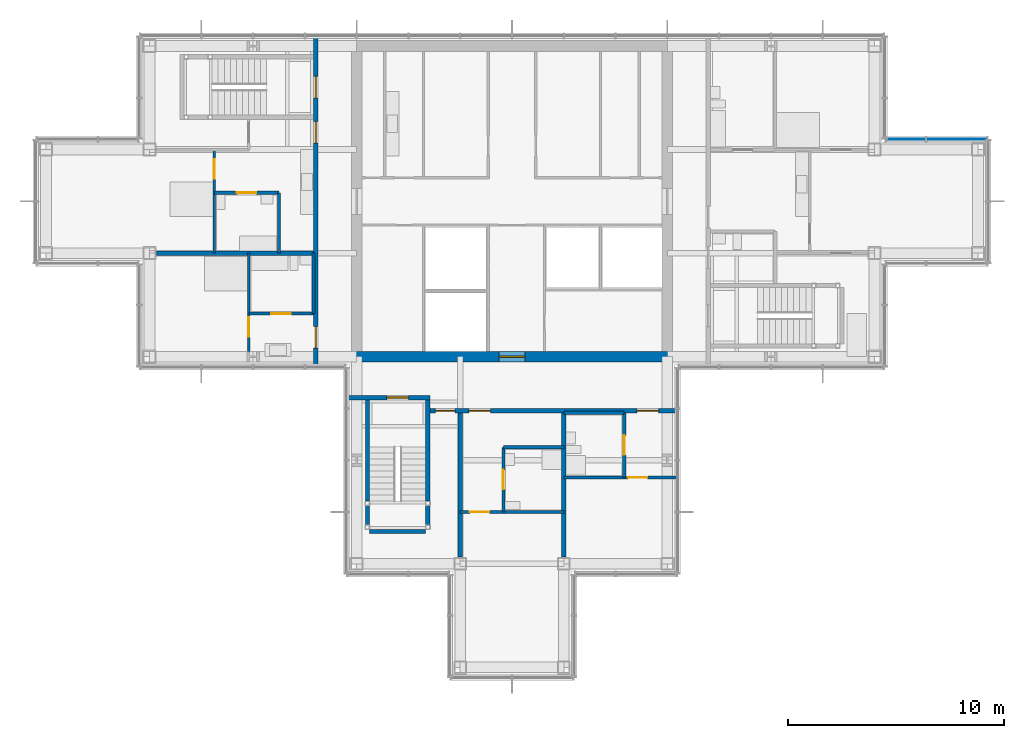
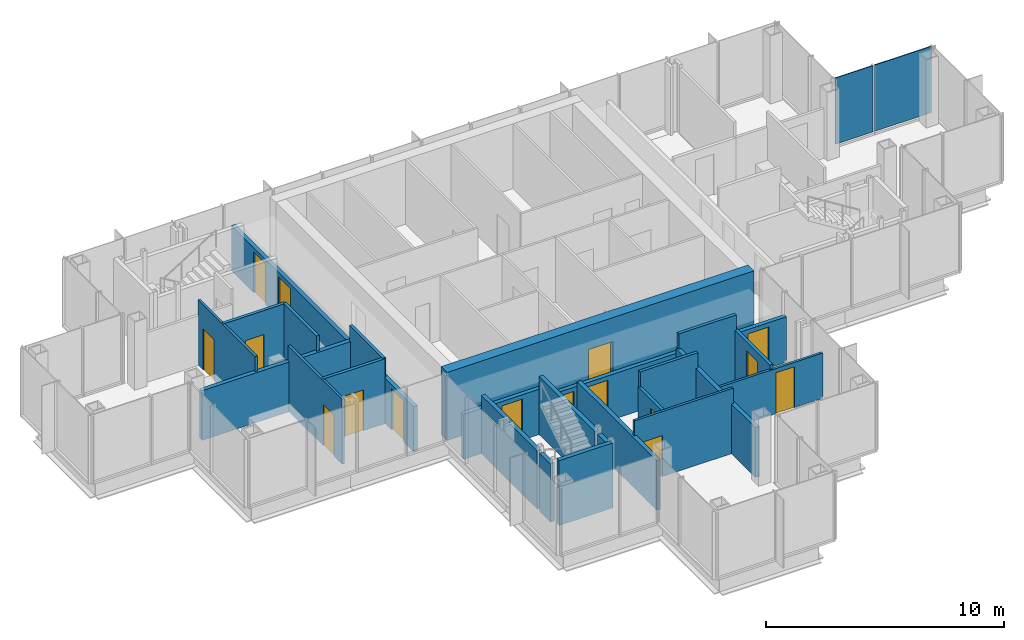
# One storey, part 10 of 15: 24 walls, 16 doors, 2 plates, 16 openings, 1 element without a shape of its own.
"""IFC4 building model written with IfcOpenShell, lengths in metres."""

from ifc_helpers import new_model, si_unit, direction, frame, frame_2d, origin, origin_2d, place, context, subcontext, project, spatial, rectangle, extrude, material, layer, layer_set, type_object, element, fill, aggregate, save


model = new_model("IFC4")

# Units and contexts
model_context = context("Model", 3, precision=1e-05, world=origin(), true_north=direction((0.0, 1.0)))
body_context = subcontext(model_context, "Body", "Model", "MODEL_VIEW")
ifc_project = project(units=[si_unit("LENGTHUNIT", "METRE"), si_unit("AREAUNIT", "SQUARE_METRE"), si_unit("VOLUMEUNIT", "CUBIC_METRE"), si_unit("PLANEANGLEUNIT", "RADIAN"), si_unit("MASSUNIT", "GRAM", prefix="KILO")], contexts=[model_context])

# Site, building, storey
site_placement = place(None, origin())
site = spatial("IfcSite", under=ifc_project, at=site_placement, CompositionType="ELEMENT")
building_placement = place(site_placement, origin())
building = spatial("IfcBuilding", under=site, at=building_placement, Name="Kvirike Care Tower", CompositionType="ELEMENT")
storey_placement = place(building_placement, frame((0.0, 0.0, 208.5)))
storey = spatial("IfcBuildingStorey", under=building, at=storey_placement, Name="L57", CompositionType="ELEMENT", Elevation=208.5)

# Curtain wall, plates
ifc_material_1 = material(Name="Anodised aluminium stick system", Category="aluminium")
curtain_wall_type = type_object("IfcCurtainWallType", Name="CW-D STICK CURTAIN WALL", PredefinedType="NOTDEFINED", material=ifc_material_1)
curtain_wall_placement = place(storey_placement, origin())
curtain_wall = element("IfcCurtainWall", 1, at=curtain_wall_placement, inside=storey, type_object=curtain_wall_type, Name="Curtain wall L57 face 5", PredefinedType="NOTDEFINED")
ifc_material_2 = material(Name="Tinted double glazed unit", Category="glass")
ifc_layer_1 = layer(ifc_material_2, 0.0439453125)
ifc_layer_set_1 = layer_set([ifc_layer_1], Name="TINTED VISION PANEL 44")
plate_type = type_object("IfcPlateType", Name="TINTED VISION PANEL 44", PredefinedType="CURTAIN_PANEL", material=ifc_layer_set_1)
plate_1_placement = place(storey_placement, frame((42.2236328125, 38.8798828125, 0.10009765625), z_axis=(0.0, 0.0, 1.0), x_axis=(-1.0, 0.0, 0.0)))
plate_1 = element("IfcPlate", 2, at=plate_1_placement, type_object=plate_type, Name="CW-D panel L57 face 5.1", PredefinedType="CURTAIN_PANEL", context=body_context, shape_type="SweptSolid", body=[
    extrude(rectangle(XDim=2.782470703125, YDim=0.0439453125, at=origin_2d()), origin(), (0.0, 0.0, 1.0), 3.39990234375),
])
plate_2_placement = place(storey_placement, frame((39.856201171875, 38.8798828125, 0.10009765625), z_axis=(0.0, 0.0, 1.0), x_axis=(-1.0, 0.0, 0.0)))
plate_2 = element("IfcPlate", 3, at=plate_2_placement, type_object=plate_type, Name="CW-D panel L57 face 5.2", PredefinedType="CURTAIN_PANEL", context=body_context, shape_type="SweptSolid", body=[
    extrude(rectangle(XDim=1.822509765625, YDim=0.0439453125, at=origin_2d()), origin(), (0.0, 0.0, 1.0), 3.39990234375),
])
aggregate(curtain_wall, [plate_1, plate_2])

# Wall, opening, door
ifc_material_3 = material(Name="Moisture-resistant board partition", Category="gypsum")
ifc_layer_2 = layer(ifc_material_3, 0.14990234375)
ifc_layer_set_2 = layer_set([ifc_layer_2], Name="BATHROOM WALL 150")
wall_type_1 = type_object("IfcWallType", Name="BATHROOM WALL 150", PredefinedType="PARTITIONING", material=ifc_layer_set_2)
wall_1_placement = place(storey_placement, frame((7.800048828125, 36.39990234375, 0.0), z_axis=(0.0, 0.0, 1.0), x_axis=(1.0, 0.0, 0.0)))
wall_1 = element("IfcWall", 4, at=wall_1_placement, inside=storey, type_object=wall_type_1, Name="Bathroom Wall 150 L57", PredefinedType="PARTITIONING", context=body_context, shape_type="SweptSolid", body=[
    extrude(rectangle(XDim=3.0, YDim=0.14990234375, at=frame_2d((1.5, 0.0))), origin(), (0.0, 0.0, 1.0), 3.330078125),
])
opening_1_placement = place(wall_1_placement, frame((1.050048828125, 0.0, 0.0)))
opening_1 = element("IfcOpeningElement", 5, at=opening_1_placement, cuts=wall_1, Name="Opening 57-001", PredefinedType="OPENING", context=body_context, shape_type="SweptSolid", body=[
    extrude(rectangle(XDim=0.89990234375, YDim=2.10009765625, at=frame_2d((0.449951171875, 1.050048828125))), frame((0.0, 0.08544921875, 0.0), z_axis=(0.0, -1.0, 0.0), x_axis=(1.0, 0.0, 0.0)), (0.0, 0.0, 1.0), 0.1708984375),
])
ifc_material_4 = material(Name="Timber door set", Category="wood")
door_type_1 = type_object("IfcDoorType", Name="BATHROOM DOOR 900", OperationType="SINGLE_SWING_RIGHT", PredefinedType="DOOR", material=ifc_material_4)
door_1_placement = place(opening_1_placement, frame((0.89990234375, 0.0, 0.0), z_axis=(0.0, 0.0, 1.0), x_axis=(-1.0, 0.0, 0.0)))
door_1 = element("IfcDoor", 6, at=door_1_placement, inside=storey, type_object=door_type_1, Name="Bathroom door", OperationType="SINGLE_SWING_LEFT", OverallHeight=2.10009765625, OverallWidth=0.89990234375, PredefinedType="DOOR", context=body_context, shape_type="SweptSolid", body=[
    extrude(rectangle(XDim=0.89990234375, YDim=2.10009765625, at=frame_2d((0.449951171875, 1.050048828125))), frame((0.0, 0.02197265625, 0.0), z_axis=(0.0, -1.0, 0.0), x_axis=(1.0, 0.0, 0.0)), (0.0, 0.0, 1.0), 0.0439453125),
])
fill(opening_1, door_1)

# Wall
wall_2_placement = place(storey_placement, frame((10.800048828125, 36.39990234375, 0.0), z_axis=(0.0, 0.0, 1.0), x_axis=(0.0, -1.0, 0.0)))
element("IfcWall", 7, at=wall_2_placement, inside=storey, type_object=wall_type_1, Name="Bathroom Wall 150 L57", PredefinedType="PARTITIONING", context=body_context, shape_type="SweptSolid", body=[
    extrude(rectangle(XDim=2.7998046875, YDim=0.14990234375, at=frame_2d((1.39990234375, 0.0))), origin(), (0.0, 0.0, 1.0), 3.330078125),
])

# Wall, opening, door
wall_3_placement = place(storey_placement, frame((9.39990234375, 30.800048828125, 0.0), z_axis=(0.0, 0.0, 1.0), x_axis=(1.0, 0.0, 0.0)))
wall_3 = element("IfcWall", 8, at=wall_3_placement, inside=storey, type_object=wall_type_1, Name="Bathroom Wall 150 L57", PredefinedType="PARTITIONING", context=body_context, shape_type="SweptSolid", body=[
    extrude(rectangle(XDim=3.0, YDim=0.14990234375, at=frame_2d((1.5, 0.0))), origin(), (0.0, 0.0, 1.0), 3.330078125),
])
opening_2_placement = place(wall_3_placement, frame((1.050048828125, 0.0, 0.0)))
opening_2 = element("IfcOpeningElement", 9, at=opening_2_placement, cuts=wall_3, Name="Opening 57-004", PredefinedType="OPENING", context=body_context, shape_type="SweptSolid", body=[
    extrude(rectangle(XDim=0.89990234375, YDim=2.10009765625, at=frame_2d((0.449951171875, 1.050048828125))), frame((0.0, 0.08544921875, 0.0), z_axis=(0.0, -1.0, 0.0), x_axis=(1.0, 0.0, 0.0)), (0.0, 0.0, 1.0), 0.1708984375),
])
door_2_placement = place(opening_2_placement, frame((0.89990234375, 0.0, 0.0), z_axis=(0.0, 0.0, 1.0), x_axis=(-1.0, 0.0, 0.0)))
door_2 = element("IfcDoor", 10, at=door_2_placement, inside=storey, type_object=door_type_1, Name="Bathroom door", OperationType="SINGLE_SWING_LEFT", OverallHeight=2.10009765625, OverallWidth=0.89990234375, PredefinedType="DOOR", context=body_context, shape_type="SweptSolid", body=[
    extrude(rectangle(XDim=0.89990234375, YDim=2.10009765625, at=frame_2d((0.449951171875, 1.050048828125))), frame((0.0, 0.02197265625, 0.0), z_axis=(0.0, -1.0, 0.0), x_axis=(1.0, 0.0, 0.0)), (0.0, 0.0, 1.0), 0.0439453125),
])
fill(opening_2, door_2)

# Wall
wall_4_placement = place(storey_placement, frame((12.39990234375, 33.60009765625, 0.0), z_axis=(0.0, 0.0, 1.0), x_axis=(0.0, -1.0, 0.0)))
element("IfcWall", 11, at=wall_4_placement, inside=storey, type_object=wall_type_1, Name="Bathroom Wall 150 L57", PredefinedType="PARTITIONING", context=body_context, shape_type="SweptSolid", body=[
    extrude(rectangle(XDim=2.800048828125, YDim=0.14990234375, at=frame_2d((1.39990234375, 0.0))), origin(), (0.0, 0.0, 1.0), 3.330078125),
])

# Wall, opening, door
wall_5_placement = place(storey_placement, frame((21.199951171875, 21.60009765625, 0.0), z_axis=(0.0, 0.0, 1.0), x_axis=(0.0, 1.0, 0.0)))
wall_5 = element("IfcWall", 12, at=wall_5_placement, inside=storey, type_object=wall_type_1, Name="Bathroom Wall 150 L57", PredefinedType="PARTITIONING", context=body_context, shape_type="SweptSolid", body=[
    extrude(rectangle(XDim=3.0, YDim=0.14990234375, at=frame_2d((1.5, 0.0))), origin(), (0.0, 0.0, 1.0), 2.550048828125),
])
opening_3_placement = place(wall_5_placement, frame((1.050048828125, 0.0, 0.0)))
opening_3 = element("IfcOpeningElement", 13, at=opening_3_placement, cuts=wall_5, Name="Opening 57-010", PredefinedType="OPENING", context=body_context, shape_type="SweptSolid", body=[
    extrude(rectangle(XDim=0.89990234375, YDim=2.10009765625, at=frame_2d((0.449951171875, 1.050048828125))), frame((0.0, 0.08544921875, 0.0), z_axis=(0.0, -1.0, 0.0), x_axis=(1.0, 0.0, 0.0)), (0.0, 0.0, 1.0), 0.1708984375),
])
door_3_placement = place(opening_3_placement, frame((0.89990234375, 0.0, 0.0), z_axis=(0.0, 0.0, 1.0), x_axis=(-1.0, 0.0, 0.0)))
door_3 = element("IfcDoor", 14, at=door_3_placement, inside=storey, type_object=door_type_1, Name="Shower room door", OperationType="SINGLE_SWING_RIGHT", OverallHeight=2.10009765625, OverallWidth=0.89990234375, PredefinedType="DOOR", context=body_context, shape_type="SweptSolid", body=[
    extrude(rectangle(XDim=0.89990234375, YDim=2.10009765625, at=frame_2d((0.449951171875, 1.050048828125))), frame((0.0, 0.02197265625, 0.0), z_axis=(0.0, -1.0, 0.0), x_axis=(1.0, 0.0, 0.0)), (0.0, 0.0, 1.0), 0.0439453125),
])
fill(opening_3, door_3)

# Wall
wall_6_placement = place(storey_placement, frame((21.199951171875, 24.60009765625, 0.0), z_axis=(0.0, 0.0, 1.0), x_axis=(1.0, 0.0, 0.0)))
element("IfcWall", 15, at=wall_6_placement, inside=storey, type_object=wall_type_1, Name="Bathroom Wall 150 L57", PredefinedType="PARTITIONING", context=body_context, shape_type="SweptSolid", body=[
    extrude(rectangle(XDim=2.800048828125, YDim=0.14990234375, at=frame_2d((1.39990234375, 0.0))), origin(), (0.0, 0.0, 1.0), 3.330078125),
])

# Wall, opening, door
wall_7_placement = place(storey_placement, frame((26.800048828125, 23.199951171875, 0.0), z_axis=(0.0, 0.0, 1.0), x_axis=(0.0, 1.0, 0.0)))
wall_7 = element("IfcWall", 16, at=wall_7_placement, inside=storey, type_object=wall_type_1, Name="Bathroom Wall 150 L57", PredefinedType="PARTITIONING", context=body_context, shape_type="SweptSolid", body=[
    extrude(rectangle(XDim=3.0, YDim=0.14990234375, at=frame_2d((1.5, 0.0))), origin(), (0.0, 0.0, 1.0), 2.550048828125),
])
opening_4_placement = place(wall_7_placement, frame((1.050048828125, 0.0, 0.0)))
opening_4 = element("IfcOpeningElement", 17, at=opening_4_placement, cuts=wall_7, Name="Opening 57-012", PredefinedType="OPENING", context=body_context, shape_type="SweptSolid", body=[
    extrude(rectangle(XDim=0.89990234375, YDim=2.10009765625, at=frame_2d((0.449951171875, 1.050048828125))), frame((0.0, 0.08544921875, 0.0), z_axis=(0.0, -1.0, 0.0), x_axis=(1.0, 0.0, 0.0)), (0.0, 0.0, 1.0), 0.1708984375),
])
door_4_placement = place(opening_4_placement, frame((0.89990234375, 0.0, 0.0), z_axis=(0.0, 0.0, 1.0), x_axis=(-1.0, 0.0, 0.0)))
door_4 = element("IfcDoor", 18, at=door_4_placement, inside=storey, type_object=door_type_1, Name="Shower room door", OperationType="SINGLE_SWING_LEFT", OverallHeight=2.10009765625, OverallWidth=0.89990234375, PredefinedType="DOOR", context=body_context, shape_type="SweptSolid", body=[
    extrude(rectangle(XDim=0.89990234375, YDim=2.10009765625, at=frame_2d((0.449951171875, 1.050048828125))), frame((0.0, 0.02197265625, 0.0), z_axis=(0.0, -1.0, 0.0), x_axis=(1.0, 0.0, 0.0)), (0.0, 0.0, 1.0), 0.0439453125),
])
fill(opening_4, door_4)

# Wall
wall_8_placement = place(storey_placement, frame((24.0, 26.199951171875, 0.0), z_axis=(0.0, 0.0, 1.0), x_axis=(1.0, 0.0, 0.0)))
element("IfcWall", 19, at=wall_8_placement, inside=storey, type_object=wall_type_1, Name="Bathroom Wall 150 L57", PredefinedType="PARTITIONING", context=body_context, shape_type="SweptSolid", body=[
    extrude(rectangle(XDim=2.800048828125, YDim=0.14990234375, at=frame_2d((1.39990234375, 0.0))), origin(), (0.0, 0.0, 1.0), 3.330078125),
])

# Wall, opening, door
ifc_material_5 = material(Name="Concrete C40/50", Category="concrete")
ifc_layer_3 = layer(ifc_material_5, 0.5)
ifc_layer_set_3 = layer_set([ifc_layer_3], Name="CORE WALL 500 C40-50")
wall_type_2 = type_object("IfcWallType", Name="CORE WALL 500 C40-50", PredefinedType="SHEAR", material=ifc_layer_set_3)
wall_9_placement = place(storey_placement, frame((14.14990234375, 28.800048828125, -0.169921875), z_axis=(0.0, 0.0, 1.0), x_axis=(1.0, 0.0, 0.0)))
wall_9 = element("IfcWall", 20, at=wall_9_placement, inside=storey, type_object=wall_type_2, Name="Core wall S L57", PredefinedType="SHEAR", context=body_context, shape_type="SweptSolid", body=[
    extrude(rectangle(XDim=14.900146484375, YDim=0.5, at=frame_2d((7.4501953125, 0.0))), origin(), (0.0, 0.0, 1.0), 3.5),
])
opening_5_placement = place(wall_9_placement, frame((6.85009765625, 0.0, 0.169921875)))
opening_5 = element("IfcOpeningElement", 21, at=opening_5_placement, cuts=wall_9, Name="Opening 57-037", PredefinedType="OPENING", context=body_context, shape_type="SweptSolid", body=[
    extrude(rectangle(XDim=1.199951171875, YDim=2.10009765625, at=frame_2d((0.60009765625, 1.050048828125))), frame((0.0, 0.260498046875, 0.0), z_axis=(0.0, -1.0, 0.0), x_axis=(1.0, 0.0, 0.0)), (0.0, 0.0, 1.0), 0.52099609375),
])
ifc_material_6 = material(Name="Timber door set", Category="wood")
door_type_2 = type_object("IfcDoorType", Name="CORE DOOR 1200", OperationType="SINGLE_SWING_LEFT", PredefinedType="DOOR", material=ifc_material_6)
door_5_placement = place(opening_5_placement, origin())
door_5 = element("IfcDoor", 22, at=door_5_placement, inside=storey, type_object=door_type_2, Name="Core door S L57", OperationType="SINGLE_SWING_LEFT", OverallHeight=2.10009765625, OverallWidth=1.199951171875, PredefinedType="DOOR", context=body_context, shape_type="SweptSolid", body=[
    extrude(rectangle(XDim=1.199951171875, YDim=2.10009765625, at=frame_2d((0.60009765625, 1.050048828125))), frame((0.0, 0.02685546875, 0.0), z_axis=(0.0, -1.0, 0.0), x_axis=(1.0, 0.0, 0.0)), (0.0, 0.0, 1.0), 0.053955078125),
])
fill(opening_5, door_5)

# Wall, openings, doors
ifc_material_7 = material(Name="Plasterboard corridor wall", Category="gypsum")
ifc_layer_4 = layer(ifc_material_7, 0.199951171875)
ifc_layer_set_4 = layer_set([ifc_layer_4], Name="CORRIDOR WALL 200")
wall_type_3 = type_object("IfcWallType", Name="CORRIDOR WALL 200", PredefinedType="PARTITIONING", material=ifc_layer_set_4)
wall_10_placement = place(storey_placement, frame((12.5, 43.655029296875, 0.0), z_axis=(0.0, 0.0, 1.0), x_axis=(0.0, -1.0, 0.0)))
wall_10 = element("IfcWall", 23, at=wall_10_placement, inside=storey, type_object=wall_type_3, Name="Corridor Wall 200 L57", PredefinedType="PARTITIONING", context=body_context, shape_type="SweptSolid", body=[
    extrude(rectangle(XDim=15.31005859375, YDim=0.199951171875, at=frame_2d((7.655029296875, 0.0))), origin(), (0.0, 0.0, 1.0), 2.320068359375),
])
opening_6_placement = place(wall_10_placement, frame((1.85498046875, 0.0, 0.0)))
opening_6 = element("IfcOpeningElement", 24, at=opening_6_placement, cuts=wall_10, Name="Opening 57-006", PredefinedType="OPENING", context=body_context, shape_type="SweptSolid", body=[
    extrude(rectangle(XDim=1.0, YDim=2.10009765625, at=frame_2d((0.5, 1.050048828125))), frame((0.0, 0.110595703125, 0.0), z_axis=(0.0, -1.0, 0.0), x_axis=(1.0, 0.0, 0.0)), (0.0, 0.0, 1.0), 0.220947265625),
])
opening_7_placement = place(wall_10_placement, frame((3.955078125, 0.0, 0.0)))
opening_7 = element("IfcOpeningElement", 25, at=opening_7_placement, cuts=wall_10, Name="Opening 57-007", PredefinedType="OPENING", context=body_context, shape_type="SweptSolid", body=[
    extrude(rectangle(XDim=1.0, YDim=2.10009765625, at=frame_2d((0.5, 1.050048828125))), frame((0.0, 0.110595703125, 0.0), z_axis=(0.0, -1.0, 0.0), x_axis=(1.0, 0.0, 0.0)), (0.0, 0.0, 1.0), 0.220947265625),
])
opening_8_placement = place(wall_10_placement, frame((13.455078125, 0.0, 0.0)))
opening_8 = element("IfcOpeningElement", 26, at=opening_8_placement, cuts=wall_10, Name="Opening 57-008", PredefinedType="OPENING", context=body_context, shape_type="SweptSolid", body=[
    extrude(rectangle(XDim=1.0, YDim=2.10009765625, at=frame_2d((0.5, 1.050048828125))), frame((0.0, 0.110595703125, 0.0), z_axis=(0.0, -1.0, 0.0), x_axis=(1.0, 0.0, 0.0)), (0.0, 0.0, 1.0), 0.220947265625),
])
ifc_material_8 = material(Name="Timber door set", Category="wood")
door_type_3 = type_object("IfcDoorType", Name="FLAT ENTRANCE DOOR 1000", OperationType="SINGLE_SWING_LEFT", PredefinedType="DOOR", material=ifc_material_8)
door_6_placement = place(opening_7_placement, frame((1.0, 0.0, 0.0), z_axis=(0.0, 0.0, 1.0), x_axis=(-1.0, 0.0, 0.0)))
door_6 = element("IfcDoor", 27, at=door_6_placement, inside=storey, type_object=door_type_3, Name="One-bedroom apartment entrance", OperationType="SINGLE_SWING_LEFT", OverallHeight=2.10009765625, OverallWidth=1.0, PredefinedType="DOOR", context=body_context, shape_type="SweptSolid", body=[
    extrude(rectangle(XDim=1.0, YDim=2.10009765625, at=frame_2d((0.5, 1.050048828125))), frame((0.0, 0.02685546875, 0.0), z_axis=(0.0, -1.0, 0.0), x_axis=(1.0, 0.0, 0.0)), (0.0, 0.0, 1.0), 0.053955078125),
])
fill(opening_7, door_6)
door_7_placement = place(opening_8_placement, frame((1.0, 0.0, 0.0), z_axis=(0.0, 0.0, 1.0), x_axis=(-1.0, 0.0, 0.0)))
door_7 = element("IfcDoor", 28, at=door_7_placement, inside=storey, type_object=door_type_3, Name="Studio apartment entrance", OperationType="SINGLE_SWING_RIGHT", OverallHeight=2.10009765625, OverallWidth=1.0, PredefinedType="DOOR", context=body_context, shape_type="SweptSolid", body=[
    extrude(rectangle(XDim=1.0, YDim=2.10009765625, at=frame_2d((0.5, 1.050048828125))), frame((0.0, 0.02685546875, 0.0), z_axis=(0.0, -1.0, 0.0), x_axis=(1.0, 0.0, 0.0)), (0.0, 0.0, 1.0), 0.053955078125),
])
fill(opening_8, door_7)
ifc_material_9 = material(Name="Timber door set", Category="wood")
door_type_4 = type_object("IfcDoorType", Name="STAIR DOOR 1000", OperationType="SINGLE_SWING_LEFT", PredefinedType="DOOR", material=ifc_material_9)
door_8_placement = place(opening_6_placement, frame((1.0, 0.0, 0.0), z_axis=(0.0, 0.0, 1.0), x_axis=(-1.0, 0.0, 0.0)))
door_8 = element("IfcDoor", 29, at=door_8_placement, inside=storey, type_object=door_type_4, Name="Stair 1 door", OperationType="SINGLE_SWING_RIGHT", OverallHeight=2.10009765625, OverallWidth=1.0, PredefinedType="DOOR", context=body_context, shape_type="SweptSolid", body=[
    extrude(rectangle(XDim=1.0, YDim=2.10009765625, at=frame_2d((0.5, 1.050048828125))), frame((0.0, 0.031982421875, 0.0), z_axis=(0.0, -1.0, 0.0), x_axis=(1.0, 0.0, 0.0)), (0.0, 0.0, 1.0), 0.06396484375),
])
fill(opening_6, door_8)

wall_11_placement = place(storey_placement, frame((17.800048828125, 26.300048828125, 0.0), z_axis=(0.0, 0.0, 1.0), x_axis=(1.0, 0.0, 0.0)))
wall_11 = element("IfcWall", 30, at=wall_11_placement, inside=storey, type_object=wall_type_3, Name="Corridor Wall 200 L57", PredefinedType="PARTITIONING", context=body_context, shape_type="SweptSolid", body=[
    extrude(rectangle(XDim=11.454833984375, YDim=0.199951171875, at=frame_2d((5.7275390625, 0.0))), origin(), (0.0, 0.0, 1.0), 2.320068359375),
])
opening_9_placement = place(wall_11_placement, frame((0.25, 0.0, 0.0)))
opening_9 = element("IfcOpeningElement", 31, at=opening_9_placement, cuts=wall_11, Name="Opening 57-014", PredefinedType="OPENING", context=body_context, shape_type="SweptSolid", body=[
    extrude(rectangle(XDim=0.89990234375, YDim=2.10009765625, at=frame_2d((0.449951171875, 1.050048828125))), frame((0.0, 0.110595703125, 0.0), z_axis=(0.0, -1.0, 0.0), x_axis=(1.0, 0.0, 0.0)), (0.0, 0.0, 1.0), 0.220947265625),
])
opening_10_placement = place(wall_11_placement, frame((1.800048828125, 0.0, 0.0)))
opening_10 = element("IfcOpeningElement", 32, at=opening_10_placement, cuts=wall_11, Name="Opening 57-015", PredefinedType="OPENING", context=body_context, shape_type="SweptSolid", body=[
    extrude(rectangle(XDim=1.0, YDim=2.10009765625, at=frame_2d((0.5, 1.050048828125))), frame((0.0, 0.110595703125, 0.0), z_axis=(0.0, -1.0, 0.0), x_axis=(1.0, 0.0, 0.0)), (0.0, 0.0, 1.0), 0.220947265625),
])
opening_11_placement = place(wall_11_placement, frame((9.60009765625, 0.0, 0.0)))
opening_11 = element("IfcOpeningElement", 33, at=opening_11_placement, cuts=wall_11, Name="Opening 57-016", PredefinedType="OPENING", context=body_context, shape_type="SweptSolid", body=[
    extrude(rectangle(XDim=1.0, YDim=2.10009765625, at=frame_2d((0.5, 1.050048828125))), frame((0.0, 0.110595703125, 0.0), z_axis=(0.0, -1.0, 0.0), x_axis=(1.0, 0.0, 0.0)), (0.0, 0.0, 1.0), 0.220947265625),
])
door_9_placement = place(opening_10_placement, frame((1.0, 0.0, 0.0), z_axis=(0.0, 0.0, 1.0), x_axis=(-1.0, 0.0, 0.0)))
door_9 = element("IfcDoor", 34, at=door_9_placement, inside=storey, type_object=door_type_3, Name="Family guest room entrance", OperationType="SINGLE_SWING_LEFT", OverallHeight=2.10009765625, OverallWidth=1.0, PredefinedType="DOOR", context=body_context, shape_type="SweptSolid", body=[
    extrude(rectangle(XDim=1.0, YDim=2.10009765625, at=frame_2d((0.5, 1.050048828125))), frame((0.0, 0.02685546875, 0.0), z_axis=(0.0, -1.0, 0.0), x_axis=(1.0, 0.0, 0.0)), (0.0, 0.0, 1.0), 0.053955078125),
])
fill(opening_10, door_9)
door_10_placement = place(opening_11_placement, frame((1.0, 0.0, 0.0), z_axis=(0.0, 0.0, 1.0), x_axis=(-1.0, 0.0, 0.0)))
door_10 = element("IfcDoor", 35, at=door_10_placement, inside=storey, type_object=door_type_3, Name="Family guest room entrance", OperationType="SINGLE_SWING_RIGHT", OverallHeight=2.10009765625, OverallWidth=1.0, PredefinedType="DOOR", context=body_context, shape_type="SweptSolid", body=[
    extrude(rectangle(XDim=1.0, YDim=2.10009765625, at=frame_2d((0.5, 1.050048828125))), frame((0.0, 0.02685546875, 0.0), z_axis=(0.0, -1.0, 0.0), x_axis=(1.0, 0.0, 0.0)), (0.0, 0.0, 1.0), 0.053955078125),
])
fill(opening_11, door_10)
ifc_material_10 = material(Name="Timber door set", Category="wood")
door_type_5 = type_object("IfcDoorType", Name="STORE DOOR 900", OperationType="SINGLE_SWING_LEFT", PredefinedType="DOOR", material=ifc_material_10)
door_11_placement = place(opening_9_placement, frame((0.89990234375, 0.0, 0.0), z_axis=(0.0, 0.0, 1.0), x_axis=(-1.0, 0.0, 0.0)))
door_11 = element("IfcDoor", 36, at=door_11_placement, inside=storey, type_object=door_type_5, Name="Housekeeping room door", OperationType="SINGLE_SWING_RIGHT", OverallHeight=2.10009765625, OverallWidth=0.89990234375, PredefinedType="DOOR", context=body_context, shape_type="SweptSolid", body=[
    extrude(rectangle(XDim=0.89990234375, YDim=2.10009765625, at=frame_2d((0.449951171875, 1.050048828125))), frame((0.0, 0.02685546875, 0.0), z_axis=(0.0, -1.0, 0.0), x_axis=(1.0, 0.0, 0.0)), (0.0, 0.0, 1.0), 0.053955078125),
])
fill(opening_9, door_11)

# Wall, opening, door
ifc_material_11 = material(Name="Plasterboard partition", Category="gypsum")
ifc_layer_5 = layer(ifc_material_11, 0.1201171875)
ifc_layer_set_5 = layer_set([ifc_layer_5], Name="PARTITION 120")
wall_type_4 = type_object("IfcWallType", Name="PARTITION 120", PredefinedType="PARTITIONING", material=ifc_layer_set_5)
wall_12_placement = place(storey_placement, frame((7.800048828125, 38.39990234375, 0.0), z_axis=(0.0, 0.0, 1.0), x_axis=(0.0, -1.0, 0.0)))
wall_12 = element("IfcWall", 37, at=wall_12_placement, inside=storey, type_object=wall_type_4, Name="Partition 120 L57", PredefinedType="PARTITIONING", context=body_context, shape_type="SweptSolid", body=[
    extrude(rectangle(XDim=4.7998046875, YDim=0.1201171875, at=frame_2d((2.39990234375, 0.0))), origin(), (0.0, 0.0, 1.0), 3.330078125),
])
opening_12_placement = place(wall_12_placement, frame((0.449951171875, 0.0, 0.0)))
opening_12 = element("IfcOpeningElement", 38, at=opening_12_placement, cuts=wall_12, Name="Opening 57-003", PredefinedType="OPENING", context=body_context, shape_type="SweptSolid", body=[
    extrude(rectangle(XDim=0.89990234375, YDim=2.10009765625, at=frame_2d((0.449951171875, 1.050048828125))), frame((0.0, 0.070556640625, 0.0), z_axis=(0.0, -1.0, 0.0), x_axis=(1.0, 0.0, 0.0)), (0.0, 0.0, 1.0), 0.14111328125),
])
ifc_material_12 = material(Name="Timber door set", Category="wood")
door_type_6 = type_object("IfcDoorType", Name="INTERNAL DOOR 900", OperationType="SINGLE_SWING_LEFT", PredefinedType="DOOR", material=ifc_material_12)
door_12_placement = place(opening_12_placement, origin())
door_12 = element("IfcDoor", 39, at=door_12_placement, inside=storey, type_object=door_type_6, Name="Apartment bedroom door", OperationType="SINGLE_SWING_RIGHT", OverallHeight=2.10009765625, OverallWidth=0.89990234375, PredefinedType="DOOR", context=body_context, shape_type="SweptSolid", body=[
    extrude(rectangle(XDim=0.89990234375, YDim=2.10009765625, at=frame_2d((0.449951171875, 1.050048828125))), frame((0.0, 0.02197265625, 0.0), z_axis=(0.0, -1.0, 0.0), x_axis=(1.0, 0.0, 0.0)), (0.0, 0.0, 1.0), 0.0439453125),
])
fill(opening_12, door_12)

wall_13_placement = place(storey_placement, frame((9.39990234375, 33.60009765625, 0.0), z_axis=(0.0, 0.0, 1.0), x_axis=(0.0, -1.0, 0.0)))
wall_13 = element("IfcWall", 40, at=wall_13_placement, inside=storey, type_object=wall_type_4, Name="Partition 120 L57", PredefinedType="PARTITIONING", context=body_context, shape_type="SweptSolid", body=[
    extrude(rectangle(XDim=4.552978515625, YDim=0.1201171875, at=frame_2d((2.2763671875, 0.0))), origin(), (0.0, 0.0, 1.0), 3.330078125),
])
opening_13_placement = place(wall_13_placement, frame((2.97509765625, 0.0, 0.0)))
opening_13 = element("IfcOpeningElement", 41, at=opening_13_placement, cuts=wall_13, Name="Opening 57-005", PredefinedType="OPENING", context=body_context, shape_type="SweptSolid", body=[
    extrude(rectangle(XDim=0.89990234375, YDim=2.10009765625, at=frame_2d((0.449951171875, 1.050048828125))), frame((0.0, 0.070556640625, 0.0), z_axis=(0.0, -1.0, 0.0), x_axis=(1.0, 0.0, 0.0)), (0.0, 0.0, 1.0), 0.14111328125),
])
door_13_placement = place(opening_13_placement, origin())
door_13 = element("IfcDoor", 42, at=door_13_placement, inside=storey, type_object=door_type_6, Name="Studio apartment living room door", OperationType="SINGLE_SWING_RIGHT", OverallHeight=2.10009765625, OverallWidth=0.89990234375, PredefinedType="DOOR", context=body_context, shape_type="SweptSolid", body=[
    extrude(rectangle(XDim=0.89990234375, YDim=2.10009765625, at=frame_2d((0.449951171875, 1.050048828125))), frame((0.0, 0.02197265625, 0.0), z_axis=(0.0, -1.0, 0.0), x_axis=(1.0, 0.0, 0.0)), (0.0, 0.0, 1.0), 0.0439453125),
])
fill(opening_13, door_13)

wall_14_placement = place(storey_placement, frame((19.199951171875, 21.60009765625, 0.0), z_axis=(0.0, 0.0, 1.0), x_axis=(1.0, 0.0, 0.0)))
wall_14 = element("IfcWall", 43, at=wall_14_placement, inside=storey, type_object=wall_type_4, Name="Partition 120 L57", PredefinedType="PARTITIONING", context=body_context, shape_type="SweptSolid", body=[
    extrude(rectangle(XDim=4.800048828125, YDim=0.1201171875, at=frame_2d((2.39990234375, 0.0))), origin(), (0.0, 0.0, 1.0), 3.330078125),
])
opening_14_placement = place(wall_14_placement, frame((0.449951171875, 0.0, 0.0)))
opening_14 = element("IfcOpeningElement", 44, at=opening_14_placement, cuts=wall_14, Name="Opening 57-011", PredefinedType="OPENING", context=body_context, shape_type="SweptSolid", body=[
    extrude(rectangle(XDim=0.89990234375, YDim=2.10009765625, at=frame_2d((0.449951171875, 1.050048828125))), frame((0.0, 0.070556640625, 0.0), z_axis=(0.0, -1.0, 0.0), x_axis=(1.0, 0.0, 0.0)), (0.0, 0.0, 1.0), 0.14111328125),
])
door_14_placement = place(opening_14_placement, origin())
door_14 = element("IfcDoor", 45, at=door_14_placement, inside=storey, type_object=door_type_6, Name="Family guest room door", OperationType="SINGLE_SWING_RIGHT", OverallHeight=2.10009765625, OverallWidth=0.89990234375, PredefinedType="DOOR", context=body_context, shape_type="SweptSolid", body=[
    extrude(rectangle(XDim=0.89990234375, YDim=2.10009765625, at=frame_2d((0.449951171875, 1.050048828125))), frame((0.0, 0.02197265625, 0.0), z_axis=(0.0, -1.0, 0.0), x_axis=(1.0, 0.0, 0.0)), (0.0, 0.0, 1.0), 0.0439453125),
])
fill(opening_14, door_14)

wall_15_placement = place(storey_placement, frame((24.0, 23.199951171875, 0.0), z_axis=(0.0, 0.0, 1.0), x_axis=(1.0, 0.0, 0.0)))
wall_15 = element("IfcWall", 46, at=wall_15_placement, inside=storey, type_object=wall_type_4, Name="Partition 120 L57", PredefinedType="PARTITIONING", context=body_context, shape_type="SweptSolid", body=[
    extrude(rectangle(XDim=5.2548828125, YDim=0.1201171875, at=frame_2d((2.62744140625, 0.0))), origin(), (0.0, 0.0, 1.0), 2.320068359375),
])
opening_15_placement = place(wall_15_placement, frame((2.97509765625, 0.0, 0.0)))
opening_15 = element("IfcOpeningElement", 47, at=opening_15_placement, cuts=wall_15, Name="Opening 57-013", PredefinedType="OPENING", context=body_context, shape_type="SweptSolid", body=[
    extrude(rectangle(XDim=0.89990234375, YDim=2.10009765625, at=frame_2d((0.449951171875, 1.050048828125))), frame((0.0, 0.070556640625, 0.0), z_axis=(0.0, -1.0, 0.0), x_axis=(1.0, 0.0, 0.0)), (0.0, 0.0, 1.0), 0.14111328125),
])
door_15_placement = place(opening_15_placement, origin())
door_15 = element("IfcDoor", 48, at=door_15_placement, inside=storey, type_object=door_type_6, Name="Family guest room door", OperationType="SINGLE_SWING_RIGHT", OverallHeight=2.10009765625, OverallWidth=0.89990234375, PredefinedType="DOOR", context=body_context, shape_type="SweptSolid", body=[
    extrude(rectangle(XDim=0.89990234375, YDim=2.10009765625, at=frame_2d((0.449951171875, 1.050048828125))), frame((0.0, 0.02197265625, 0.0), z_axis=(0.0, -1.0, 0.0), x_axis=(1.0, 0.0, 0.0)), (0.0, 0.0, 1.0), 0.0439453125),
])
fill(opening_15, door_15)

# Walls
ifc_material_13 = material(Name="Plasterboard party wall", Category="gypsum")
ifc_layer_6 = layer(ifc_material_13, 0.199951171875)
ifc_layer_set_6 = layer_set([ifc_layer_6], Name="PARTY WALL 200")
wall_type_5 = type_object("IfcWallType", Name="PARTY WALL 200", PredefinedType="PARTITIONING", material=ifc_layer_set_6)
wall_16_placement = place(storey_placement, frame((5.1201171875, 33.60009765625, 0.0), z_axis=(0.0, 0.0, 1.0), x_axis=(1.0, 0.0, 0.0)))
element("IfcWall", 49, at=wall_16_placement, inside=storey, type_object=wall_type_5, Name="Party Wall 200 L57", PredefinedType="PARTITIONING", context=body_context, shape_type="SweptSolid", body=[
    extrude(rectangle(XDim=7.27978515625, YDim=0.199951171875, at=frame_2d((3.639892578125, 0.0))), origin(), (0.0, 0.0, 1.0), 2.550048828125),
])
for number, where, z_axis, x_axis, name in (
    (50, (19.199951171875, 19.52001953125, 0.0), (0.0, 0.0, 1.0), (0.0, 1.0, 0.0), "Party Wall 200 L57"),
    (51, (24.0, 19.52001953125, 0.0), (0.0, 0.0, 1.0), (0.0, 1.0, 0.0), "Party Wall 200 L57"),
):
    element("IfcWall", number, at=place(storey_placement, frame(where, z_axis=z_axis, x_axis=x_axis)), inside=storey, type_object=wall_type_5, Name=name, PredefinedType="PARTITIONING", context=body_context, shape_type="SweptSolid", body=[
        extrude(rectangle(XDim=6.679931640625, YDim=0.199951171875, at=frame_2d((3.33984375, 0.0))), origin(), (0.0, 0.0, 1.0), 2.550048828125),
    ])
ifc_material_14 = material(Name="Concrete C40/50", Category="concrete")
ifc_layer_7 = layer(ifc_material_14, 0.199951171875)
ifc_layer_set_7 = layer_set([ifc_layer_7], Name="STAIR WALL 200")
wall_type_6 = type_object("IfcWallType", Name="STAIR WALL 200", PredefinedType="SOLIDWALL", material=ifc_layer_set_7)
wall_17_placement = place(storey_placement, frame((14.89990234375, 21.0, 0.0), z_axis=(0.0, 0.0, 1.0), x_axis=(0.0, 1.0, 0.0)))
element("IfcWall", 52, at=wall_17_placement, inside=storey, type_object=wall_type_6, Name="Stair Wall 200 L57", PredefinedType="SOLIDWALL", context=body_context, shape_type="SweptSolid", body=[
    extrude(rectangle(XDim=0.89990234375, YDim=0.199951171875, at=frame_2d((0.449951171875, 0.0))), origin(), (0.0, 0.0, 1.0), 2.989990234375),
])
wall_18_placement = place(storey_placement, frame((14.89990234375, 22.10009765625, 0.0), z_axis=(0.0, 0.0, 1.0), x_axis=(0.0, 1.0, 0.0)))
element("IfcWall", 53, at=wall_18_placement, inside=storey, type_object=wall_type_6, Name="Stair Wall 200 L57", PredefinedType="SOLIDWALL", context=body_context, shape_type="SweptSolid", body=[
    extrude(rectangle(XDim=4.699951171875, YDim=0.199951171875, at=frame_2d((2.35009765625, 0.0))), origin(), (0.0, 0.0, 1.0), 2.989990234375),
])
wall_19_placement = place(storey_placement, frame((17.699951171875, 21.0, 0.0), z_axis=(0.0, 0.0, 1.0), x_axis=(0.0, 1.0, 0.0)))
element("IfcWall", 54, at=wall_19_placement, inside=storey, type_object=wall_type_6, Name="Stair Wall 200 L57", PredefinedType="SOLIDWALL", context=body_context, shape_type="SweptSolid", body=[
    extrude(rectangle(XDim=0.89990234375, YDim=0.199951171875, at=frame_2d((0.449951171875, 0.0))), origin(), (0.0, 0.0, 1.0), 2.989990234375),
])
wall_20_placement = place(storey_placement, frame((17.699951171875, 22.10009765625, 0.0), z_axis=(0.0, 0.0, 1.0), x_axis=(0.0, 1.0, 0.0)))
element("IfcWall", 55, at=wall_20_placement, inside=storey, type_object=wall_type_6, Name="Stair Wall 200 L57", PredefinedType="SOLIDWALL", context=body_context, shape_type="SweptSolid", body=[
    extrude(rectangle(XDim=4.699951171875, YDim=0.199951171875, at=frame_2d((2.35009765625, 0.0))), origin(), (0.0, 0.0, 1.0), 2.989990234375),
])
wall_21_placement = place(storey_placement, frame((15.0, 20.699951171875, 0.0), z_axis=(0.0, 0.0, 1.0), x_axis=(1.0, 0.0, 0.0)))
element("IfcWall", 56, at=wall_21_placement, inside=storey, type_object=wall_type_6, Name="Stair Wall 200 L57", PredefinedType="SOLIDWALL", context=body_context, shape_type="SweptSolid", body=[
    extrude(rectangle(XDim=2.60009765625, YDim=0.199951171875, at=frame_2d((1.300048828125, 0.0))), origin(), (0.0, 0.0, 1.0), 3.330078125),
])

# Wall, opening, door
wall_22_placement = place(storey_placement, frame((13.945068359375, 26.89990234375, 0.0), z_axis=(0.0, 0.0, 1.0), x_axis=(1.0, 0.0, 0.0)))
wall_22 = element("IfcWall", 57, at=wall_22_placement, inside=storey, type_object=wall_type_6, Name="Stair Wall 200 L57", PredefinedType="SOLIDWALL", context=body_context, shape_type="SweptSolid", body=[
    extrude(rectangle(XDim=3.85498046875, YDim=0.199951171875, at=frame_2d((1.927490234375, 0.0))), origin(), (0.0, 0.0, 1.0), 2.320068359375),
])
opening_16_placement = place(wall_22_placement, frame((1.85498046875, 0.0, 0.0)))
opening_16 = element("IfcOpeningElement", 58, at=opening_16_placement, cuts=wall_22, Name="Opening 57-009", PredefinedType="OPENING", context=body_context, shape_type="SweptSolid", body=[
    extrude(rectangle(XDim=1.0, YDim=2.10009765625, at=frame_2d((0.5, 1.050048828125))), frame((0.0, 0.110595703125, 0.0), z_axis=(0.0, -1.0, 0.0), x_axis=(1.0, 0.0, 0.0)), (0.0, 0.0, 1.0), 0.220947265625),
])
door_16_placement = place(opening_16_placement, frame((1.0, 0.0, 0.0), z_axis=(0.0, 0.0, 1.0), x_axis=(-1.0, 0.0, 0.0)))
door_16 = element("IfcDoor", 59, at=door_16_placement, inside=storey, type_object=door_type_4, Name="Stair 5 door", OperationType="SINGLE_SWING_LEFT", OverallHeight=2.10009765625, OverallWidth=1.0, PredefinedType="DOOR", context=body_context, shape_type="SweptSolid", body=[
    extrude(rectangle(XDim=1.0, YDim=2.10009765625, at=frame_2d((0.5, 1.050048828125))), frame((0.0, 0.031982421875, 0.0), z_axis=(0.0, -1.0, 0.0), x_axis=(1.0, 0.0, 0.0)), (0.0, 0.0, 1.0), 0.06396484375),
])
fill(opening_16, door_16)

save(model, "model.ifc")
